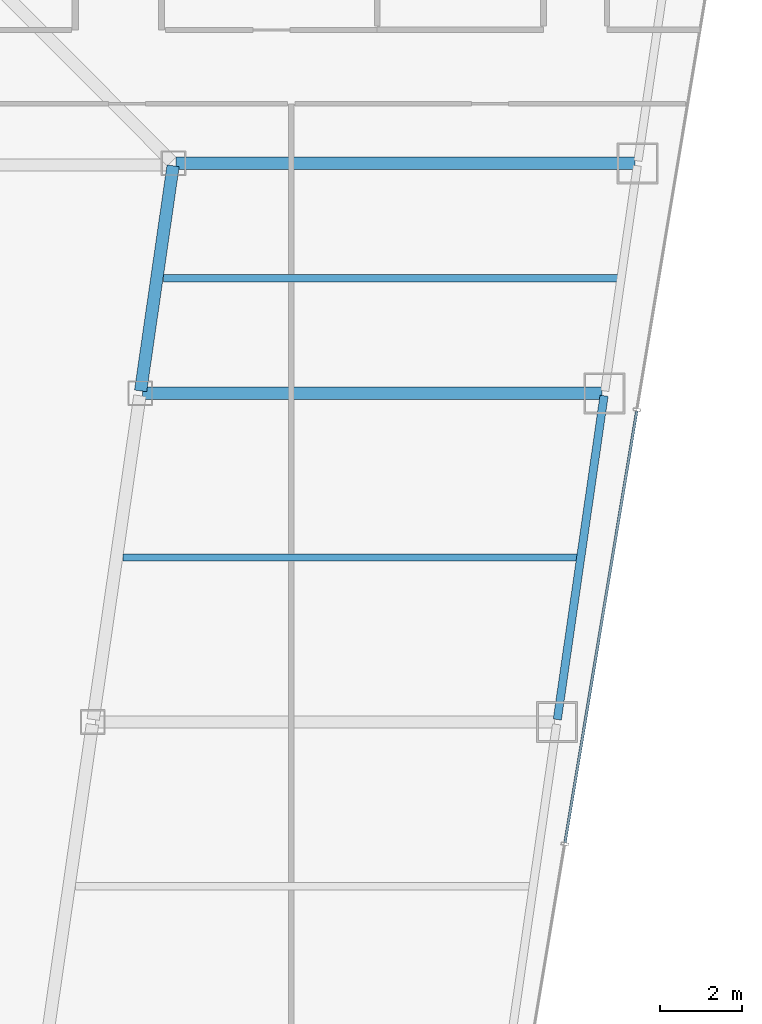
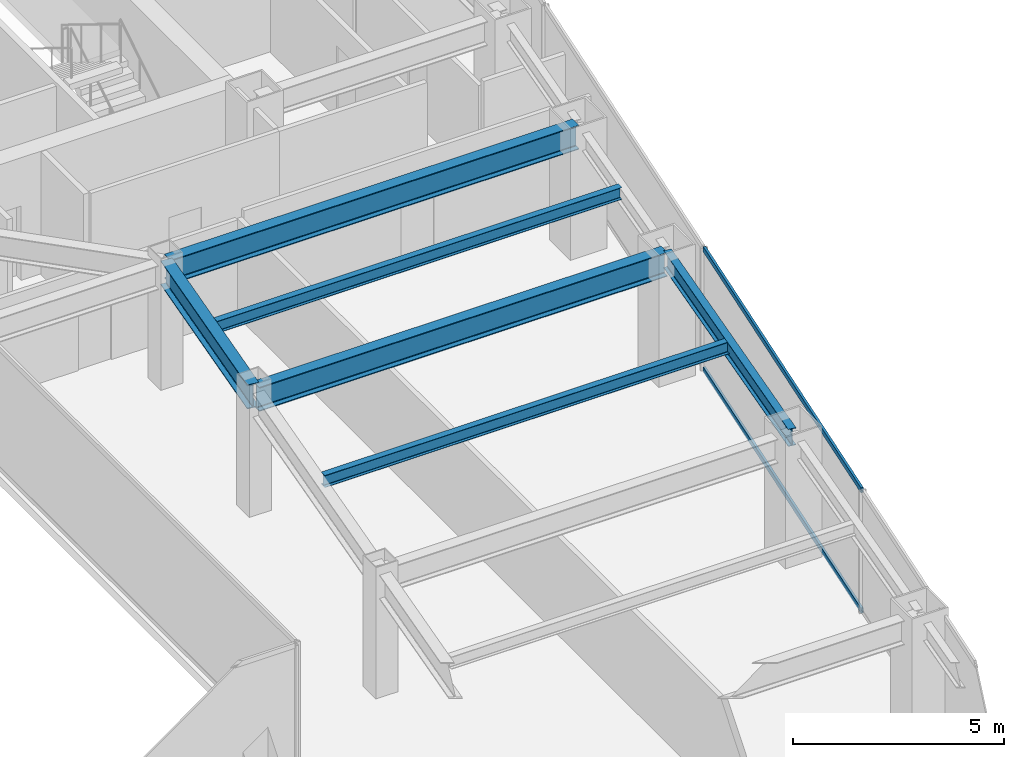
# One storey, part 17 of 37: 6 beams, 2 members, 1 element without a shape of its own.
"""IFC4 building model written with IfcOpenShell, lengths in metres."""

from ifc_helpers import new_model, si_unit, direction, frame, origin, origin_2d, place, context, subcontext, project, spatial, hollow_rectangle, i_section, extrude, material, material_profile, profile_set, type_object, element, aggregate, save


model = new_model("IFC4")

# Units and contexts
model_context = context("Model", 3, precision=1e-05, world=origin(), true_north=direction((0.0, 1.0)))
body_context = subcontext(model_context, "Body", "Model", "MODEL_VIEW")
ifc_project = project(units=[si_unit("LENGTHUNIT", "METRE"), si_unit("AREAUNIT", "SQUARE_METRE"), si_unit("VOLUMEUNIT", "CUBIC_METRE"), si_unit("PLANEANGLEUNIT", "RADIAN"), si_unit("MASSUNIT", "GRAM", prefix="KILO")], contexts=[model_context])

# Site, building, storey
site_placement = place(None, origin())
site = spatial("IfcSite", under=ifc_project, at=site_placement, CompositionType="ELEMENT")
building_placement = place(site_placement, origin())
building = spatial("IfcBuilding", under=site, at=building_placement, Name="Saevonmaru Cultural Tower", CompositionType="ELEMENT")
storey_placement = place(building_placement, frame((0.0, 0.0, 160.0)))
storey = spatial("IfcBuildingStorey", under=building, at=storey_placement, Name="L35", CompositionType="ELEMENT", Elevation=160.0)

# Beams
ifc_material_1 = material(Name="Steel SM355", Category="steel")
ifc_material_profile_1 = material_profile(ifc_material_1, i_section(OverallWidth=0.300048828125, OverallDepth=0.699951171875, WebThickness=0.012939453125, FlangeThickness=0.02392578125, FilletRadius=0.02587890625, at=origin_2d()), Name="H-700x300x13x24")
ifc_profile_set_1 = profile_set([ifc_material_profile_1], Name="Steel SM355")
beam_type_1 = type_object("IfcBeamType", Name="BM-G-H700", PredefinedType="BEAM", material=ifc_profile_set_1)
beam_1_placement = place(storey_placement, frame((40.3916015625, 32.059326171875, 3.199951171875), z_axis=(0.142964121327, 0.989727871697, 0.0), x_axis=(-0.989727871697, 0.142964121327, 0.0)))
element("IfcBeam", 1, at=beam_1_placement, inside=storey, type_object=beam_type_1, Name="L35 East Atrium Girder 4", PredefinedType="BEAM", context=body_context, shape_type="SweptSolid", body=[
    extrude(i_section(OverallWidth=0.300048828125, OverallDepth=0.699951171875, WebThickness=0.012939453125, FlangeThickness=0.02392578125, FilletRadius=0.02587890625, at=origin_2d()), origin(), (0.0, 0.0, 1.0), 5.5380859375),
])
for number, where, z_axis, x_axis, name in (
    (2, (40.443115234375, 32.0, 3.199951171875), (1.0, 0.0, 0.0), (0.0, 1.0, 0.0), "L35 East Wing Transverse Girder 4"),
    (3, (41.251953125, 37.60009765625, 3.199951171875), (1.0, 0.0, 0.0), (0.0, 1.0, 0.0), "L35 East Wing Transverse Girder 5"),
):
    element("IfcBeam", number, at=place(storey_placement, frame(where, z_axis=z_axis, x_axis=x_axis)), inside=storey, type_object=beam_type_1, Name=name, PredefinedType="BEAM", context=body_context, shape_type="SweptSolid", body=[
        extrude(i_section(OverallWidth=0.300048828125, OverallDepth=0.699951171875, WebThickness=0.012939453125, FlangeThickness=0.02392578125, FilletRadius=0.02587890625, at=origin_2d()), origin(), (0.0, 0.0, 1.0), 11.179931640625),
    ])
ifc_material_profile_2 = material_profile(ifc_material_1, i_section(OverallWidth=0.175048828125, OverallDepth=0.35009765625, WebThickness=0.007080078125, FlangeThickness=0.010986328125, FilletRadius=0.012939453125, at=origin_2d()), Name="H-350x175x7x11")
ifc_profile_set_2 = profile_set([ifc_material_profile_2], Name="Steel SM355")
beam_type_2 = type_object("IfcBeamType", Name="BM-J-H350", PredefinedType="JOIST", material=ifc_profile_set_2)
for number, where, z_axis, x_axis, name in (
    (4, (39.96337890625, 28.0, 3.375), (1.0, 0.0, 0.0), (0.0, 1.0, 0.0), "L35 East Wing Floor Joist 3"),
    (5, (40.945556640625, 34.800048828125, 3.375), (1.0, 0.0, 0.0), (0.0, 1.0, 0.0), "L35 East Wing Floor Joist 4"),
):
    element("IfcBeam", number, at=place(storey_placement, frame(where, z_axis=z_axis, x_axis=x_axis)), inside=storey, type_object=beam_type_2, Name=name, PredefinedType="JOIST", context=body_context, shape_type="SweptSolid", body=[
        extrude(i_section(OverallWidth=0.175048828125, OverallDepth=0.35009765625, WebThickness=0.007080078125, FlangeThickness=0.010986328125, FilletRadius=0.012939453125, at=origin_2d()), origin(), (0.0, 0.0, 1.0), 11.08203125),
    ])
ifc_material_profile_3 = material_profile(ifc_material_1, i_section(OverallWidth=0.199951171875, OverallDepth=0.5, WebThickness=0.010009765625, FlangeThickness=0.01611328125, FilletRadius=0.02001953125, at=origin_2d()), Name="H-500x200x10x16")
ifc_profile_set_3 = profile_set([ifc_material_profile_3], Name="Steel SM355")
beam_type_3 = type_object("IfcBeamType", Name="BM-SP-H500", PredefinedType="SPANDREL", material=ifc_profile_set_3)
beam_2_placement = place(storey_placement, frame((50.53662109375, 24.059326171875, 3.300048828125), z_axis=(0.142871999001, 0.989741174197, 0.0), x_axis=(-0.989741174197, 0.142871999001, 0.0)))
element("IfcBeam", 6, at=beam_2_placement, inside=storey, type_object=beam_type_3, Name="L35 East Splayed Spandrel 3", PredefinedType="SPANDREL", context=body_context, shape_type="SweptSolid", body=[
    extrude(i_section(OverallWidth=0.199951171875, OverallDepth=0.5, WebThickness=0.010009765625, FlangeThickness=0.01611328125, FilletRadius=0.02001953125, at=origin_2d()), origin(), (0.0, 0.0, 1.0), 7.963134765625),
])

# Curtain wall, members
ifc_material_2 = material(Name="Satin Bronze Anodised Aluminium", Category="aluminium")
curtain_wall_type = type_object("IfcCurtainWallType", Name="CW-TYP-A", PredefinedType="NOTDEFINED", material=ifc_material_2)
curtain_wall_placement = place(storey_placement, origin())
curtain_wall = element("IfcCurtainWall", 7, at=curtain_wall_placement, inside=storey, type_object=curtain_wall_type, Name="L35 Unitised Curtain Wall E8", PredefinedType="NOTDEFINED")
ifc_material_profile_4 = material_profile(ifc_material_2, hollow_rectangle(XDim=0.06494140625, YDim=0.14990234375, WallThickness=0.00390625, at=origin_2d()), Name="ALU-TRAN-150x65x4")
ifc_profile_set_4 = profile_set([ifc_material_profile_4], Name="Satin Bronze Anodised Aluminium")
member_type = type_object("IfcMemberType", Name="TR-CW-150x65", PredefinedType="USERDEFINED", material=ifc_profile_set_4)
member_1_placement = place(storey_placement, frame((50.7236328125, 21.061767578125, 0.032470703125), z_axis=(0.163993787386, 0.98646137162, 0.0), x_axis=(-0.98646137162, 0.163993787386, 0.0)))
member_1 = element("IfcMember", 8, at=member_1_placement, type_object=member_type, Name="CW-TW-L35-E8 transom 2.1", ObjectType="TRANSOM", PredefinedType="USERDEFINED", context=body_context, shape_type="SweptSolid", body=[
    extrude(hollow_rectangle(XDim=0.06494140625, YDim=0.14990234375, WallThickness=0.00390625, at=origin_2d()), origin(), (0.0, 0.0, 1.0), 10.650390625),
])
member_2_placement = place(storey_placement, frame((50.7236328125, 21.061767578125, 3.517578125), z_axis=(0.163993787386, 0.98646137162, 0.0), x_axis=(-0.98646137162, 0.163993787386, 0.0)))
member_2 = element("IfcMember", 9, at=member_2_placement, type_object=member_type, Name="CW-TW-L35-E8 transom 2.2", ObjectType="TRANSOM", PredefinedType="USERDEFINED", context=body_context, shape_type="SweptSolid", body=[
    extrude(hollow_rectangle(XDim=0.06494140625, YDim=0.14990234375, WallThickness=0.00390625, at=origin_2d()), origin(), (0.0, 0.0, 1.0), 10.650390625),
])
aggregate(curtain_wall, [member_1, member_2])

save(model, "model.ifc")
